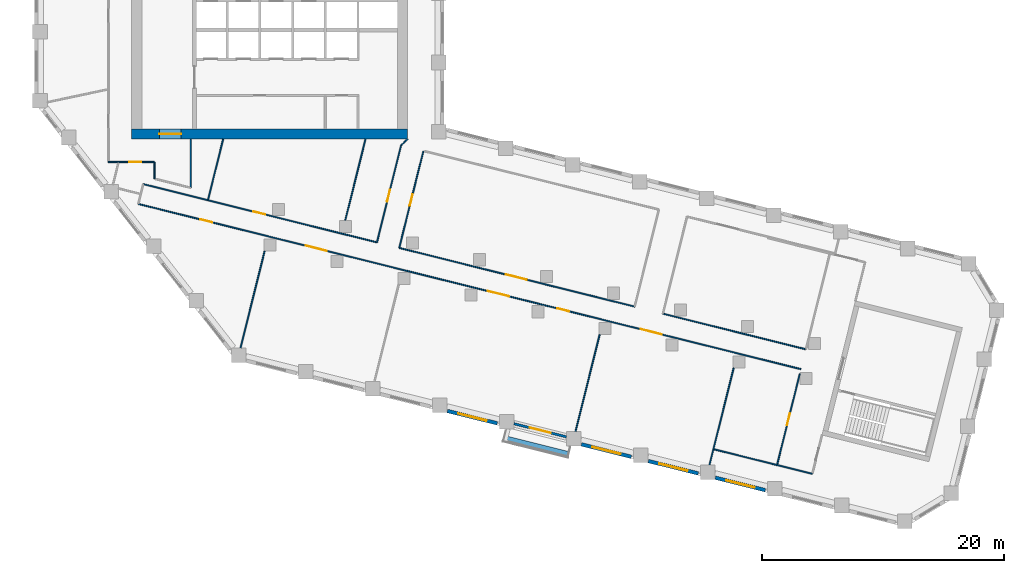
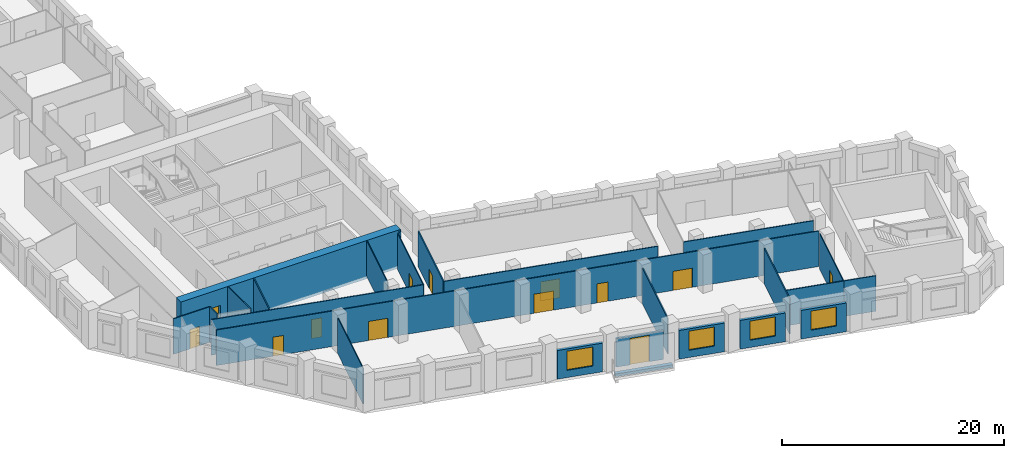
# One storey, part 3 of 10: 25 walls, 13 doors, 4 windows, 17 openings.
"""IFC4 building model written with IfcOpenShell, lengths in metres."""

from ifc_helpers import new_model, si_unit, direction, frame, frame_2d, origin, place, context, subcontext, project, spatial, rectangle, extrude, material, layer, layer_set, type_object, element, fill, save


model = new_model("IFC4")

# Units and contexts
model_context = context("Model", 3, precision=1e-05, world=origin(), true_north=direction((0.0, 1.0)))
body_context = subcontext(model_context, "Body", "Model", "MODEL_VIEW")
ifc_project = project(units=[si_unit("LENGTHUNIT", "METRE"), si_unit("AREAUNIT", "SQUARE_METRE"), si_unit("VOLUMEUNIT", "CUBIC_METRE"), si_unit("PLANEANGLEUNIT", "RADIAN"), si_unit("MASSUNIT", "GRAM", prefix="KILO")], contexts=[model_context])

# Site, building, storey
site_placement = place(None, origin())
site = spatial("IfcSite", under=ifc_project, at=site_placement, CompositionType="ELEMENT")
building_placement = place(site_placement, origin())
building = spatial("IfcBuilding", under=site, at=building_placement, Name="Meshkara Civic Tower", CompositionType="ELEMENT")
storey_placement = place(building_placement, frame((0.0, 0.0, 174.0)))
storey = spatial("IfcBuildingStorey", under=building, at=storey_placement, Name="L39", CompositionType="ELEMENT", Elevation=174.0)

# Wall, opening, door
ifc_material_1 = material(Name="Concrete C70", Category="concrete")
ifc_layer_1 = layer(ifc_material_1, 0.85009765625)
ifc_layer_set_1 = layer_set([ifc_layer_1], Name="Core ring wall 850 C70")
wall_type_1 = type_object("IfcWallType", Name="Core ring wall 850 C70", PredefinedType="SHEAR", material=ifc_layer_set_1)
wall_1_placement = place(storey_placement, frame((8.0, 14.52490234375, -0.300048828125), z_axis=(0.0, 0.0, 1.0), x_axis=(1.0, 0.0, 0.0)))
wall_1 = element("IfcWall", 1, at=wall_1_placement, inside=storey, type_object=wall_type_1, Name="L39-C001", PredefinedType="SHEAR", context=body_context, shape_type="SweptSolid", body=[
    extrude(rectangle(XDim=22.800048828125, YDim=0.85009765625, at=frame_2d((11.39990234375, 0.0))), origin(), (0.0, 0.0, 1.0), 4.199951171875),
])
opening_1_placement = place(wall_1_placement, frame((2.300048828125, 0.0, 0.300048828125)))
opening_1 = element("IfcOpeningElement", 2, at=opening_1_placement, cuts=wall_1, Name="Opening L39-K020", PredefinedType="OPENING", context=body_context, shape_type="SweptSolid", body=[
    extrude(rectangle(XDim=1.800048828125, YDim=2.10009765625, at=frame_2d((0.89990234375, 1.050048828125))), frame((0.0, 0.43505859375, 0.0), z_axis=(0.0, -1.0, 0.0), x_axis=(1.0, 0.0, 0.0)), (0.0, 0.0, 1.0), 0.8701171875),
])
ifc_material_2 = material(Name="Fire-rated door leaf in steel frame", Category="steel")
door_type_1 = type_object("IfcDoorType", Name="Core double door 1800 EI 60", OperationType="DOUBLE_DOOR_SINGLE_SWING", PredefinedType="DOOR", material=ifc_material_2)
door_1_placement = place(opening_1_placement, origin())
door_1 = element("IfcDoor", 3, at=door_1_placement, inside=storey, type_object=door_type_1, Name="L39-K020", OperationType="DOUBLE_DOOR_SINGLE_SWING", OverallHeight=2.10009765625, OverallWidth=1.800048828125, PredefinedType="DOOR", context=body_context, shape_type="SweptSolid", body=[
    extrude(rectangle(XDim=1.800048828125, YDim=2.10009765625, at=frame_2d((0.89990234375, 1.050048828125))), frame((0.0, 0.02490234375, 0.0), z_axis=(0.0, -1.0, 0.0), x_axis=(1.0, 0.0, 0.0)), (0.0, 0.0, 1.0), 0.050048828125),
])
fill(opening_1, door_1)

ifc_material_3 = material(Name="Corridor wall 100")
ifc_layer_2 = layer(ifc_material_3, 0.10009765625)
ifc_layer_set_2 = layer_set([ifc_layer_2], Name="Corridor wall 100")
wall_type_2 = type_object("IfcWallType", Name="Corridor wall 100", PredefinedType="PARTITIONING", material=ifc_layer_set_2)
wall_2_placement = place(storey_placement, frame((6.10009765625, 12.199951171875, 0.0), z_axis=(0.0, 0.0, 1.0), x_axis=(1.0, 0.0, 0.0)))
wall_2 = element("IfcWall", 4, at=wall_2_placement, inside=storey, type_object=wall_type_2, Name="L39-W005", PredefinedType="PARTITIONING", context=body_context, shape_type="SweptSolid", body=[
    extrude(rectangle(XDim=3.7998046875, YDim=0.10009765625, at=frame_2d((1.89990234375, 0.0))), origin(), (0.0, 0.0, 1.0), 3.89990234375),
])
opening_2_placement = place(wall_2_placement, frame((1.701904296875, 0.0, 0.0)))
opening_2 = element("IfcOpeningElement", 5, at=opening_2_placement, cuts=wall_2, Name="Opening L39-D015", PredefinedType="OPENING", context=body_context, shape_type="SweptSolid", body=[
    extrude(rectangle(XDim=1.0, YDim=2.10009765625, at=frame_2d((0.5, 1.050048828125))), frame((0.0, 0.06005859375, 0.0), z_axis=(0.0, -1.0, 0.0), x_axis=(1.0, 0.0, 0.0)), (0.0, 0.0, 1.0), 0.1201171875),
])
ifc_material_4 = material(Name="Door 1000 x 2100")
door_type_2 = type_object("IfcDoorType", Name="Door 1000 x 2100", OperationType="SINGLE_SWING_LEFT", PredefinedType="DOOR", material=ifc_material_4)
door_2_placement = place(opening_2_placement, origin())
door_2 = element("IfcDoor", 6, at=door_2_placement, inside=storey, type_object=door_type_2, Name="L39-D015", OperationType="SINGLE_SWING_RIGHT", OverallHeight=2.10009765625, OverallWidth=1.0, PredefinedType="DOOR", context=body_context, shape_type="SweptSolid", body=[
    extrude(rectangle(XDim=1.0, YDim=2.10009765625, at=frame_2d((0.5, 1.050048828125))), frame((0.0, 0.02490234375, 0.0), z_axis=(0.0, -1.0, 0.0), x_axis=(1.0, 0.0, 0.0)), (0.0, 0.0, 1.0), 0.050048828125),
])
fill(opening_2, door_2)

# Wall, openings, doors
wall_3_placement = place(storey_placement, frame((8.56494140625, 8.743896484375, 0.0), z_axis=(0.0, 0.0, 1.0), x_axis=(0.97029693432, -0.24191705035, 0.0)))
wall_3 = element("IfcWall", 7, at=wall_3_placement, inside=storey, type_object=wall_type_2, Name="L39-W006", PredefinedType="PARTITIONING", context=body_context, shape_type="SweptSolid", body=[
    extrude(rectangle(XDim=56.37451171875, YDim=0.10009765625, at=frame_2d((28.187255859375, 0.0))), origin(), (0.0, 0.0, 1.0), 3.89990234375),
])
opening_3_placement = place(wall_3_placement, frame((42.739013671875, 0.0, 0.0)))
opening_3 = element("IfcOpeningElement", 8, at=opening_3_placement, cuts=wall_3, Name="Opening L39-D003", PredefinedType="OPENING", context=body_context, shape_type="SweptSolid", body=[
    extrude(rectangle(XDim=1.800048828125, YDim=2.10009765625, at=frame_2d((0.89990234375, 1.050048828125))), frame((0.0, 0.06005859375, 0.0), z_axis=(0.0, -1.0, 0.0), x_axis=(1.0, 0.0, 0.0)), (0.0, 0.0, 1.0), 0.1201171875),
])
opening_4_placement = place(wall_3_placement, frame((14.239013671875, 0.0, 0.0)))
opening_4 = element("IfcOpeningElement", 9, at=opening_4_placement, cuts=wall_3, Name="Opening L39-D004", PredefinedType="OPENING", context=body_context, shape_type="SweptSolid", body=[
    extrude(rectangle(XDim=1.800048828125, YDim=2.10009765625, at=frame_2d((0.89990234375, 1.050048828125))), frame((0.0, 0.06005859375, 0.0), z_axis=(0.0, -1.0, 0.0), x_axis=(1.0, 0.0, 0.0)), (0.0, 0.0, 1.0), 0.1201171875),
])
opening_5_placement = place(wall_3_placement, frame((29.739990234375, 0.0, 0.0)))
opening_5 = element("IfcOpeningElement", 10, at=opening_5_placement, cuts=wall_3, Name="Opening L39-D005", PredefinedType="OPENING", context=body_context, shape_type="SweptSolid", body=[
    extrude(rectangle(XDim=1.800048828125, YDim=2.10009765625, at=frame_2d((0.89990234375, 1.050048828125))), frame((0.0, 0.06005859375, 0.0), z_axis=(0.0, -1.0, 0.0), x_axis=(1.0, 0.0, 0.0)), (0.0, 0.0, 1.0), 0.1201171875),
])
opening_6_placement = place(wall_3_placement, frame((35.639892578125, 0.0, 0.0)))
opening_6 = element("IfcOpeningElement", 11, at=opening_6_placement, cuts=wall_3, Name="Opening L39-D007", PredefinedType="OPENING", context=body_context, shape_type="SweptSolid", body=[
    extrude(rectangle(XDim=1.0, YDim=2.10009765625, at=frame_2d((0.5, 1.050048828125))), frame((0.0, 0.06005859375, 0.0), z_axis=(0.0, -1.0, 0.0), x_axis=(1.0, 0.0, 0.0)), (0.0, 0.0, 1.0), 0.1201171875),
])
opening_7_placement = place(wall_3_placement, frame((5.280029296875, 0.0, 0.0)))
opening_7 = element("IfcOpeningElement", 12, at=opening_7_placement, cuts=wall_3, Name="Opening L39-D009", PredefinedType="OPENING", context=body_context, shape_type="SweptSolid", body=[
    extrude(rectangle(XDim=1.0, YDim=2.10009765625, at=frame_2d((0.5, 1.050048828125))), frame((0.0, 0.06005859375, 0.0), z_axis=(0.0, -1.0, 0.0), x_axis=(1.0, 0.0, 0.0)), (0.0, 0.0, 1.0), 0.1201171875),
])
door_3_placement = place(opening_6_placement, origin())
door_3 = element("IfcDoor", 13, at=door_3_placement, inside=storey, type_object=door_type_2, Name="L39-D007", OperationType="SINGLE_SWING_LEFT", OverallHeight=2.10009765625, OverallWidth=1.0, PredefinedType="DOOR", context=body_context, shape_type="SweptSolid", body=[
    extrude(rectangle(XDim=1.0, YDim=2.10009765625, at=frame_2d((0.5, 1.050048828125))), frame((0.0, 0.02490234375, 0.0), z_axis=(0.0, -1.0, 0.0), x_axis=(1.0, 0.0, 0.0)), (0.0, 0.0, 1.0), 0.050048828125),
])
fill(opening_6, door_3)
door_4_placement = place(opening_7_placement, origin())
door_4 = element("IfcDoor", 14, at=door_4_placement, inside=storey, type_object=door_type_2, Name="L39-D009", OperationType="SINGLE_SWING_LEFT", OverallHeight=2.10009765625, OverallWidth=1.0, PredefinedType="DOOR", context=body_context, shape_type="SweptSolid", body=[
    extrude(rectangle(XDim=1.0, YDim=2.10009765625, at=frame_2d((0.5, 1.050048828125))), frame((0.0, 0.02490234375, 0.0), z_axis=(0.0, -1.0, 0.0), x_axis=(1.0, 0.0, 0.0)), (0.0, 0.0, 1.0), 0.050048828125),
])
fill(opening_7, door_4)
ifc_material_5 = material(Name="Door pair 1800 x 2100")
door_type_3 = type_object("IfcDoorType", Name="Door pair 1800 x 2100", OperationType="SINGLE_SWING_LEFT", PredefinedType="DOOR", material=ifc_material_5)
door_5_placement = place(opening_3_placement, origin())
door_5 = element("IfcDoor", 15, at=door_5_placement, inside=storey, type_object=door_type_3, Name="L39-D003", OperationType="DOUBLE_DOOR_SINGLE_SWING", OverallHeight=2.10009765625, OverallWidth=1.800048828125, PredefinedType="DOOR", context=body_context, shape_type="SweptSolid", body=[
    extrude(rectangle(XDim=1.800048828125, YDim=2.10009765625, at=frame_2d((0.89990234375, 1.050048828125))), frame((0.0, 0.02490234375, 0.0), z_axis=(0.0, -1.0, 0.0), x_axis=(1.0, 0.0, 0.0)), (0.0, 0.0, 1.0), 0.050048828125),
])
fill(opening_3, door_5)
door_6_placement = place(opening_4_placement, origin())
door_6 = element("IfcDoor", 16, at=door_6_placement, inside=storey, type_object=door_type_3, Name="L39-D004", OperationType="DOUBLE_DOOR_SINGLE_SWING", OverallHeight=2.10009765625, OverallWidth=1.800048828125, PredefinedType="DOOR", context=body_context, shape_type="SweptSolid", body=[
    extrude(rectangle(XDim=1.800048828125, YDim=2.10009765625, at=frame_2d((0.89990234375, 1.050048828125))), frame((0.0, 0.02490234375, 0.0), z_axis=(0.0, -1.0, 0.0), x_axis=(1.0, 0.0, 0.0)), (0.0, 0.0, 1.0), 0.050048828125),
])
fill(opening_4, door_6)
door_7_placement = place(opening_5_placement, origin())
door_7 = element("IfcDoor", 17, at=door_7_placement, inside=storey, type_object=door_type_3, Name="L39-D005", OperationType="DOUBLE_DOOR_SINGLE_SWING", OverallHeight=2.10009765625, OverallWidth=1.800048828125, PredefinedType="DOOR", context=body_context, shape_type="SweptSolid", body=[
    extrude(rectangle(XDim=1.800048828125, YDim=2.10009765625, at=frame_2d((0.89990234375, 1.050048828125))), frame((0.0, 0.02490234375, 0.0), z_axis=(0.0, -1.0, 0.0), x_axis=(1.0, 0.0, 0.0)), (0.0, 0.0, 1.0), 0.050048828125),
])
fill(opening_5, door_7)

# Wall, opening, door
wall_4_placement = place(storey_placement, frame((8.972900390625, 10.382080078125, 0.0), z_axis=(0.0, 0.0, 1.0), x_axis=(0.970286808807, -0.241957658808, 0.0)))
wall_4 = element("IfcWall", 18, at=wall_4_placement, inside=storey, type_object=wall_type_2, Name="L39-W007", PredefinedType="PARTITIONING", context=body_context, shape_type="SweptSolid", body=[
    extrude(rectangle(XDim=19.879638671875, YDim=0.10009765625, at=frame_2d((9.93994140625, 0.0))), origin(), (0.0, 0.0, 1.0), 3.89990234375),
])
opening_8_placement = place(wall_4_placement, frame((9.384033203125, 0.0, 0.0)))
opening_8 = element("IfcOpeningElement", 19, at=opening_8_placement, cuts=wall_4, Name="Opening L39-D010", PredefinedType="OPENING", context=body_context, shape_type="SweptSolid", body=[
    extrude(rectangle(XDim=1.0, YDim=2.10009765625, at=frame_2d((0.5, 1.050048828125))), frame((0.0, 0.06005859375, 0.0), z_axis=(0.0, -1.0, 0.0), x_axis=(1.0, 0.0, 0.0)), (0.0, 0.0, 1.0), 0.1201171875),
])
door_8_placement = place(opening_8_placement, origin())
door_8 = element("IfcDoor", 20, at=door_8_placement, inside=storey, type_object=door_type_2, Name="L39-D010", OperationType="SINGLE_SWING_LEFT", OverallHeight=2.10009765625, OverallWidth=1.0, PredefinedType="DOOR", context=body_context, shape_type="SweptSolid", body=[
    extrude(rectangle(XDim=1.0, YDim=2.10009765625, at=frame_2d((0.5, 1.050048828125))), frame((0.0, 0.02490234375, 0.0), z_axis=(0.0, -1.0, 0.0), x_axis=(1.0, 0.0, 0.0)), (0.0, 0.0, 1.0), 0.050048828125),
])
fill(opening_8, door_8)

# Walls
wall_5_placement = place(storey_placement, frame((9.89990234375, 12.199951171875, 0.0), z_axis=(0.0, 0.0, 1.0), x_axis=(0.0, -1.0, 0.0)))
element("IfcWall", 21, at=wall_5_placement, inside=storey, type_object=wall_type_2, Name="L39-W010", PredefinedType="PARTITIONING", context=body_context, shape_type="SweptSolid", body=[
    extrude(rectangle(XDim=1.3740234375, YDim=0.10009765625, at=frame_2d((0.68701171875, 0.0))), origin(), (0.0, 0.0, 1.0), 3.89990234375),
])
wall_6_placement = place(storey_placement, frame((12.89990234375, 10.077880859375, 0.0), z_axis=(0.0, 0.0, 1.0), x_axis=(0.0, 1.0, 0.0)))
element("IfcWall", 22, at=wall_6_placement, inside=storey, type_object=wall_type_2, Name="L39-W016", PredefinedType="PARTITIONING", context=body_context, shape_type="SweptSolid", body=[
    extrude(rectangle(XDim=4.022216796875, YDim=0.10009765625, at=frame_2d((2.01123046875, 0.0))), origin(), (0.0, 0.0, 1.0), 3.89990234375),
])

# Wall, opening, door
wall_7_placement = place(storey_placement, frame((30.10498046875, 5.113037109375, 0.0), z_axis=(0.0, 0.0, 1.0), x_axis=(0.241984285369, 0.970280168629, 0.0)))
wall_7 = element("IfcWall", 23, at=wall_7_placement, inside=storey, type_object=wall_type_2, Name="L39-W026", PredefinedType="PARTITIONING", context=body_context, shape_type="SweptSolid", body=[
    extrude(rectangle(XDim=8.231689453125, YDim=0.10009765625, at=frame_2d((4.11572265625, 0.0))), origin(), (0.0, 0.0, 1.0), 3.89990234375),
])
opening_9_placement = place(wall_7_placement, frame((3.580078125, 0.0, 0.0)))
opening_9 = element("IfcOpeningElement", 24, at=opening_9_placement, cuts=wall_7, Name="Opening L39-D012", PredefinedType="OPENING", context=body_context, shape_type="SweptSolid", body=[
    extrude(rectangle(XDim=1.0, YDim=2.10009765625, at=frame_2d((0.5, 1.050048828125))), frame((0.0, 0.06005859375, 0.0), z_axis=(0.0, -1.0, 0.0), x_axis=(1.0, 0.0, 0.0)), (0.0, 0.0, 1.0), 0.1201171875),
])
door_9_placement = place(opening_9_placement, origin())
door_9 = element("IfcDoor", 25, at=door_9_placement, inside=storey, type_object=door_type_2, Name="L39-D012", OperationType="SINGLE_SWING_RIGHT", OverallHeight=2.10009765625, OverallWidth=1.0, PredefinedType="DOOR", context=body_context, shape_type="SweptSolid", body=[
    extrude(rectangle(XDim=1.0, YDim=2.10009765625, at=frame_2d((0.5, 1.050048828125))), frame((0.0, 0.02490234375, 0.0), z_axis=(0.0, -1.0, 0.0), x_axis=(1.0, 0.0, 0.0)), (0.0, 0.0, 1.0), 0.050048828125),
])
fill(opening_9, door_9)

wall_8_placement = place(storey_placement, frame((30.259033203125, 13.5830078125, 0.0), z_axis=(0.0, 0.0, 1.0), x_axis=(-0.241888494143, -0.970304053584, 0.0)))
wall_8 = element("IfcWall", 26, at=wall_8_placement, inside=storey, type_object=wall_type_2, Name="L39-W027", PredefinedType="PARTITIONING", context=body_context, shape_type="SweptSolid", body=[
    extrude(rectangle(XDim=8.256103515625, YDim=0.10009765625, at=frame_2d((4.1279296875, 0.0))), origin(), (0.0, 0.0, 1.0), 3.89990234375),
])
opening_10_placement = place(wall_8_placement, frame((3.780029296875, 0.0, 0.0)))
opening_10 = element("IfcOpeningElement", 27, at=opening_10_placement, cuts=wall_8, Name="Opening L39-D011", PredefinedType="OPENING", context=body_context, shape_type="SweptSolid", body=[
    extrude(rectangle(XDim=1.0, YDim=2.10009765625, at=frame_2d((0.5, 1.050048828125))), frame((0.0, 0.06005859375, 0.0), z_axis=(0.0, -1.0, 0.0), x_axis=(1.0, 0.0, 0.0)), (0.0, 0.0, 1.0), 0.1201171875),
])
door_10_placement = place(opening_10_placement, origin())
door_10 = element("IfcDoor", 28, at=door_10_placement, inside=storey, type_object=door_type_2, Name="L39-D011", OperationType="SINGLE_SWING_LEFT", OverallHeight=2.10009765625, OverallWidth=1.0, PredefinedType="DOOR", context=body_context, shape_type="SweptSolid", body=[
    extrude(rectangle(XDim=1.0, YDim=2.10009765625, at=frame_2d((0.5, 1.050048828125))), frame((0.0, 0.02490234375, 0.0), z_axis=(0.0, -1.0, 0.0), x_axis=(1.0, 0.0, 0.0)), (0.0, 0.0, 1.0), 0.050048828125),
])
fill(opening_10, door_10)

# Wall
wall_9_placement = place(storey_placement, frame((30.800048828125, 14.10009765625, 0.0), z_axis=(0.0, 0.0, 1.0), x_axis=(-0.722911025189, -0.690941133281, 0.0)))
element("IfcWall", 29, at=wall_9_placement, inside=storey, type_object=wall_type_2, Name="L39-W028", PredefinedType="PARTITIONING", context=body_context, shape_type="SweptSolid", body=[
    extrude(rectangle(XDim=0.748291015625, YDim=0.10009765625, at=frame_2d((0.3740234375, 0.0))), origin(), (0.0, 0.0, 1.0), 3.89990234375),
])

# Wall, opening, door
wall_10_placement = place(storey_placement, frame((49.535888671875, 0.26806640625, 0.0), z_axis=(0.0, 0.0, 1.0), x_axis=(-0.970292195994, 0.241936054348, 0.0)))
wall_10 = element("IfcWall", 30, at=wall_10_placement, inside=storey, type_object=wall_type_2, Name="L39-W030", PredefinedType="PARTITIONING", context=body_context, shape_type="SweptSolid", body=[
    extrude(rectangle(XDim=20.02587890625, YDim=0.10009765625, at=frame_2d((10.012939453125, 0.0))), origin(), (0.0, 0.0, 1.0), 3.89990234375),
])
opening_11_placement = place(wall_10_placement, frame((9.179931640625, 0.0, 0.0)))
opening_11 = element("IfcOpeningElement", 31, at=opening_11_placement, cuts=wall_10, Name="Opening L39-D006", PredefinedType="OPENING", context=body_context, shape_type="SweptSolid", body=[
    extrude(rectangle(XDim=1.800048828125, YDim=2.10009765625, at=frame_2d((0.89990234375, 1.050048828125))), frame((0.0, 0.06005859375, 0.0), z_axis=(0.0, -1.0, 0.0), x_axis=(1.0, 0.0, 0.0)), (0.0, 0.0, 1.0), 0.1201171875),
])
door_11_placement = place(opening_11_placement, origin())
door_11 = element("IfcDoor", 32, at=door_11_placement, inside=storey, type_object=door_type_3, Name="L39-D006", OperationType="DOUBLE_DOOR_SINGLE_SWING", OverallHeight=2.10009765625, OverallWidth=1.800048828125, PredefinedType="DOOR", context=body_context, shape_type="SweptSolid", body=[
    extrude(rectangle(XDim=1.800048828125, YDim=2.10009765625, at=frame_2d((0.89990234375, 1.050048828125))), frame((0.0, 0.02490234375, 0.0), z_axis=(0.0, -1.0, 0.0), x_axis=(1.0, 0.0, 0.0)), (0.0, 0.0, 1.0), 0.050048828125),
])
fill(opening_11, door_11)

# Wall
wall_11_placement = place(storey_placement, frame((61.2919921875, -12.80810546875, 0.0), z_axis=(0.0, 0.0, 1.0), x_axis=(0.970290716908, -0.241941986192, 0.0)))
element("IfcWall", 33, at=wall_11_placement, inside=storey, type_object=wall_type_2, Name="L39-W034", PredefinedType="PARTITIONING", context=body_context, shape_type="SweptSolid", body=[
    extrude(rectangle(XDim=3.0, YDim=0.10009765625, at=frame_2d((1.5, 0.0))), origin(), (0.0, 0.0, 1.0), 3.89990234375),
])

# Wall, opening, door
wall_12_placement = place(storey_placement, frame((63.1689453125, -5.279052734375, 0.0), z_axis=(0.0, 0.0, 1.0), x_axis=(-0.241891494948, -0.970303305504, 0.0)))
wall_12 = element("IfcWall", 34, at=wall_12_placement, inside=storey, type_object=wall_type_2, Name="L39-W035", PredefinedType="PARTITIONING", context=body_context, shape_type="SweptSolid", body=[
    extrude(rectangle(XDim=7.759521484375, YDim=0.10009765625, at=frame_2d((3.8798828125, 0.0))), origin(), (0.0, 0.0, 1.0), 3.89990234375),
])
opening_12_placement = place(wall_12_placement, frame((3.3798828125, 0.0, 0.0)))
opening_12 = element("IfcOpeningElement", 35, at=opening_12_placement, cuts=wall_12, Name="Opening L39-D001", PredefinedType="OPENING", context=body_context, shape_type="SweptSolid", body=[
    extrude(rectangle(XDim=1.0, YDim=2.10009765625, at=frame_2d((0.5, 1.050048828125))), frame((0.0, 0.06005859375, 0.0), z_axis=(0.0, -1.0, 0.0), x_axis=(1.0, 0.0, 0.0)), (0.0, 0.0, 1.0), 0.1201171875),
])
door_12_placement = place(opening_12_placement, origin())
door_12 = element("IfcDoor", 36, at=door_12_placement, inside=storey, type_object=door_type_2, Name="L39-D001", OperationType="SINGLE_SWING_LEFT", OverallHeight=2.10009765625, OverallWidth=1.0, PredefinedType="DOOR", context=body_context, shape_type="SweptSolid", body=[
    extrude(rectangle(XDim=1.0, YDim=2.10009765625, at=frame_2d((0.5, 1.050048828125))), frame((0.0, 0.02490234375, 0.0), z_axis=(0.0, -1.0, 0.0), x_axis=(1.0, 0.0, 0.0)), (0.0, 0.0, 1.0), 0.050048828125),
])
fill(opening_12, door_12)

# Wall
wall_13_placement = place(storey_placement, frame((63.674072265625, -3.257080078125, 0.0), z_axis=(0.0, 0.0, 1.0), x_axis=(-0.970300413684, 0.241903094658, 0.0)))
element("IfcWall", 37, at=wall_13_placement, inside=storey, type_object=wall_type_2, Name="L39-W036", PredefinedType="PARTITIONING", context=body_context, shape_type="SweptSolid", body=[
    extrude(rectangle(XDim=12.170654296875, YDim=0.10009765625, at=frame_2d((6.08544921875, 0.0))), origin(), (0.0, 0.0, 1.0), 3.89990234375),
])

# Wall, opening, window
ifc_material_6 = material(Name="Insulated infill panel with bronze anodised aluminium cladding", Category="aluminium")
ifc_layer_3 = layer(ifc_material_6, 0.300048828125)
ifc_layer_set_3 = layer_set([ifc_layer_3], Name="EXTERNAL INFILL WALL 300")
wall_type_3 = type_object("IfcWallType", Name="EXTERNAL INFILL WALL 300", PredefinedType="SOLIDWALL", material=ifc_layer_set_3)
wall_14_placement = place(storey_placement, frame((34.075927734375, -8.342041015625, 0.0), z_axis=(0.0, 0.0, 1.0), x_axis=(0.970318118028, -0.241832069473, 0.0)))
wall_14 = element("IfcWall", 38, at=wall_14_placement, inside=storey, type_object=wall_type_3, Name="External wall", PredefinedType="SOLIDWALL", context=body_context, shape_type="SweptSolid", body=[
    extrude(rectangle(XDim=4.24609375, YDim=0.300048828125, at=frame_2d((2.123046875, 0.0))), origin(), (0.0, 0.0, 1.0), 3.14990234375),
])
opening_13_placement = place(wall_14_placement, frame((0.923095703125, 0.0, 0.800048828125)))
opening_13 = element("IfcOpeningElement", 39, at=opening_13_placement, cuts=wall_14, Name="Opening W7", PredefinedType="OPENING", context=body_context, shape_type="SweptSolid", body=[
    extrude(rectangle(XDim=2.39990234375, YDim=2.10009765625, at=frame_2d((1.199951171875, 1.050048828125))), frame((0.0, 0.159912109375, 0.0), z_axis=(0.0, -1.0, 0.0), x_axis=(1.0, 0.0, 0.0)), (0.0, 0.0, 1.0), 0.320068359375),
])
ifc_material_7 = material(Name="Tinted double glazing", Category="glass")
window_type = type_object("IfcWindowType", Name="WINDOW 2400x2100", PartitioningType="DOUBLE_PANEL_VERTICAL", PredefinedType="WINDOW", material=ifc_material_7)
window_1_placement = place(opening_13_placement, origin())
window_1 = element("IfcWindow", 40, at=window_1_placement, inside=storey, type_object=window_type, Name="Window", OverallHeight=2.10009765625, OverallWidth=2.39990234375, PartitioningType="DOUBLE_PANEL_VERTICAL", PredefinedType="WINDOW", context=body_context, shape_type="SweptSolid", body=[
    extrude(rectangle(XDim=2.39990234375, YDim=2.10009765625, at=frame_2d((1.199951171875, 1.050048828125))), frame((0.0, 0.030029296875, 0.0), z_axis=(0.0, -1.0, 0.0), x_axis=(1.0, 0.0, 0.0)), (0.0, 0.0, 1.0), 0.06005859375),
])
fill(opening_13, window_1)

wall_15_placement = place(storey_placement, frame((45.137939453125, -11.09912109375, 0.0), z_axis=(0.0, 0.0, 1.0), x_axis=(0.970304663212, -0.241886048688, 0.0)))
wall_15 = element("IfcWall", 41, at=wall_15_placement, inside=storey, type_object=wall_type_3, Name="External wall", PredefinedType="SOLIDWALL", context=body_context, shape_type="SweptSolid", body=[
    extrude(rectangle(XDim=4.2451171875, YDim=0.300048828125, at=frame_2d((2.12255859375, 0.0))), origin(), (0.0, 0.0, 1.0), 3.14990234375),
])
opening_14_placement = place(wall_15_placement, frame((0.922119140625, 0.0, 0.800048828125)))
opening_14 = element("IfcOpeningElement", 42, at=opening_14_placement, cuts=wall_15, Name="Opening W7", PredefinedType="OPENING", context=body_context, shape_type="SweptSolid", body=[
    extrude(rectangle(XDim=2.39990234375, YDim=2.10009765625, at=frame_2d((1.199951171875, 1.050048828125))), frame((0.0, 0.159912109375, 0.0), z_axis=(0.0, -1.0, 0.0), x_axis=(1.0, 0.0, 0.0)), (0.0, 0.0, 1.0), 0.320068359375),
])
window_2_placement = place(opening_14_placement, origin())
window_2 = element("IfcWindow", 43, at=window_2_placement, inside=storey, type_object=window_type, Name="Window", OverallHeight=2.10009765625, OverallWidth=2.39990234375, PartitioningType="DOUBLE_PANEL_VERTICAL", PredefinedType="WINDOW", context=body_context, shape_type="SweptSolid", body=[
    extrude(rectangle(XDim=2.39990234375, YDim=2.10009765625, at=frame_2d((1.199951171875, 1.050048828125))), frame((0.0, 0.030029296875, 0.0), z_axis=(0.0, -1.0, 0.0), x_axis=(1.0, 0.0, 0.0)), (0.0, 0.0, 1.0), 0.06005859375),
])
fill(opening_14, window_2)

wall_16_placement = place(storey_placement, frame((50.66796875, -12.47802734375, 0.0), z_axis=(0.0, 0.0, 1.0), x_axis=(0.970318118028, -0.241832069473, 0.0)))
wall_16 = element("IfcWall", 44, at=wall_16_placement, inside=storey, type_object=wall_type_3, Name="External wall", PredefinedType="SOLIDWALL", context=body_context, shape_type="SweptSolid", body=[
    extrude(rectangle(XDim=4.24609375, YDim=0.300048828125, at=frame_2d((2.123046875, 0.0))), origin(), (0.0, 0.0, 1.0), 3.14990234375),
])
opening_15_placement = place(wall_16_placement, frame((0.923095703125, 0.0, 0.800048828125)))
opening_15 = element("IfcOpeningElement", 45, at=opening_15_placement, cuts=wall_16, Name="Opening W7", PredefinedType="OPENING", context=body_context, shape_type="SweptSolid", body=[
    extrude(rectangle(XDim=2.39990234375, YDim=2.10009765625, at=frame_2d((1.199951171875, 1.050048828125))), frame((0.0, 0.159912109375, 0.0), z_axis=(0.0, -1.0, 0.0), x_axis=(1.0, 0.0, 0.0)), (0.0, 0.0, 1.0), 0.320068359375),
])
window_3_placement = place(opening_15_placement, origin())
window_3 = element("IfcWindow", 46, at=window_3_placement, inside=storey, type_object=window_type, Name="Window", OverallHeight=2.10009765625, OverallWidth=2.39990234375, PartitioningType="DOUBLE_PANEL_VERTICAL", PredefinedType="WINDOW", context=body_context, shape_type="SweptSolid", body=[
    extrude(rectangle(XDim=2.39990234375, YDim=2.10009765625, at=frame_2d((1.199951171875, 1.050048828125))), frame((0.0, 0.030029296875, 0.0), z_axis=(0.0, -1.0, 0.0), x_axis=(1.0, 0.0, 0.0)), (0.0, 0.0, 1.0), 0.06005859375),
])
fill(opening_15, window_3)

wall_17_placement = place(storey_placement, frame((56.198974609375, -13.85693359375, 0.0), z_axis=(0.0, 0.0, 1.0), x_axis=(0.97030462482, -0.241886202691, 0.0)))
wall_17 = element("IfcWall", 47, at=wall_17_placement, inside=storey, type_object=wall_type_3, Name="External wall", PredefinedType="SOLIDWALL", context=body_context, shape_type="SweptSolid", body=[
    extrude(rectangle(XDim=4.24609375, YDim=0.300048828125, at=frame_2d((2.123046875, 0.0))), origin(), (0.0, 0.0, 1.0), 3.14990234375),
])
opening_16_placement = place(wall_17_placement, frame((0.923095703125, 0.0, 0.800048828125)))
opening_16 = element("IfcOpeningElement", 48, at=opening_16_placement, cuts=wall_17, Name="Opening W7", PredefinedType="OPENING", context=body_context, shape_type="SweptSolid", body=[
    extrude(rectangle(XDim=2.39990234375, YDim=2.10009765625, at=frame_2d((1.199951171875, 1.050048828125))), frame((0.0, 0.159912109375, 0.0), z_axis=(0.0, -1.0, 0.0), x_axis=(1.0, 0.0, 0.0)), (0.0, 0.0, 1.0), 0.320068359375),
])
window_4_placement = place(opening_16_placement, origin())
window_4 = element("IfcWindow", 49, at=window_4_placement, inside=storey, type_object=window_type, Name="Window", OverallHeight=2.10009765625, OverallWidth=2.39990234375, PartitioningType="DOUBLE_PANEL_VERTICAL", PredefinedType="WINDOW", context=body_context, shape_type="SweptSolid", body=[
    extrude(rectangle(XDim=2.39990234375, YDim=2.10009765625, at=frame_2d((1.199951171875, 1.050048828125))), frame((0.0, 0.030029296875, 0.0), z_axis=(0.0, -1.0, 0.0), x_axis=(1.0, 0.0, 0.0)), (0.0, 0.0, 1.0), 0.06005859375),
])
fill(opening_16, window_4)

# Wall, opening, door
ifc_material_8 = material(Name="Insulated infill panel with bronze anodised aluminium cladding", Category="aluminium")
ifc_layer_4 = layer(ifc_material_8, 0.199951171875)
ifc_layer_set_4 = layer_set([ifc_layer_4], Name="LOGGIA BACK WALL 200")
wall_type_4 = type_object("IfcWallType", Name="LOGGIA BACK WALL 200", PredefinedType="SOLIDWALL", material=ifc_layer_set_4)
wall_18_placement = place(storey_placement, frame((39.573974609375, -9.403076171875, 0.0), z_axis=(0.0, 0.0, 1.0), x_axis=(0.970296737599, -0.241917839369, 0.0)))
wall_18 = element("IfcWall", 50, at=wall_18_placement, inside=storey, type_object=wall_type_4, Name="Loggia wall", PredefinedType="SOLIDWALL", context=body_context, shape_type="SweptSolid", body=[
    extrude(rectangle(XDim=4.463623046875, YDim=0.199951171875, at=frame_2d((2.23193359375, 0.0))), origin(), (0.0, 0.0, 1.0), 3.14990234375),
])
opening_17_placement = place(wall_18_placement, frame((1.3310546875, 0.0, 0.0)))
opening_17 = element("IfcOpeningElement", 51, at=opening_17_placement, cuts=wall_18, Name="Opening L39-L002", PredefinedType="OPENING", context=body_context, shape_type="SweptSolid", body=[
    extrude(rectangle(XDim=1.800048828125, YDim=2.89990234375, at=frame_2d((0.89990234375, 1.449951171875))), frame((0.0, 0.10986328125, 0.0), z_axis=(0.0, -1.0, 0.0), x_axis=(1.0, 0.0, 0.0)), (0.0, 0.0, 1.0), 0.219970703125),
])
ifc_material_9 = material(Name="Tinted double glazing", Category="glass")
door_type_4 = type_object("IfcDoorType", Name="LOGGIA DOOR 1800x2900", OperationType="DOUBLE_DOOR_SINGLE_SWING", PredefinedType="DOOR", material=ifc_material_9)
door_13_placement = place(opening_17_placement, origin())
door_13 = element("IfcDoor", 52, at=door_13_placement, inside=storey, type_object=door_type_4, Name="L39-L002", OperationType="DOUBLE_DOOR_SINGLE_SWING", OverallHeight=2.89990234375, OverallWidth=1.800048828125, PredefinedType="DOOR", context=body_context, shape_type="SweptSolid", body=[
    extrude(rectangle(XDim=1.800048828125, YDim=2.89990234375, at=frame_2d((0.89990234375, 1.449951171875))), frame((0.0, 0.02490234375, 0.0), z_axis=(0.0, -1.0, 0.0), x_axis=(1.0, 0.0, 0.0)), (0.0, 0.0, 1.0), 0.050048828125),
])
fill(opening_17, door_13)

# Walls
ifc_material_10 = material(Name="Concrete C40", Category="concrete")
ifc_layer_5 = layer(ifc_material_10, 0.39990234375)
ifc_layer_set_5 = layer_set([ifc_layer_5], Name="PLANTER TRAY")
wall_type_5 = type_object("IfcWallType", Name="PLANTER TRAY", PredefinedType="SOLIDWALL", material=ifc_layer_set_5)
wall_19_placement = place(storey_placement, frame((38.81689453125, -10.5849609375, 0.0), z_axis=(0.0, 0.0, 1.0), x_axis=(0.970281652924, -0.241978333739, 0.0)))
element("IfcWall", 53, at=wall_19_placement, inside=storey, type_object=wall_type_5, Name="Planter", PredefinedType="SOLIDWALL", context=body_context, shape_type="SweptSolid", body=[
    extrude(rectangle(XDim=5.360595703125, YDim=0.39990234375, at=frame_2d((2.68017578125, 0.0))), origin(), (0.0, 0.0, 1.0), 0.300048828125),
])
ifc_material_11 = material(Name="Partition 100")
ifc_layer_6 = layer(ifc_material_11, 0.10009765625)
ifc_layer_set_6 = layer_set([ifc_layer_6], Name="Partition 100")
wall_type_6 = type_object("IfcWallType", Name="Partition 100", PredefinedType="PARTITIONING", material=ifc_layer_set_6)
wall_20_placement = place(storey_placement, frame((14.324951171875, 9.09912109375, 0.0), z_axis=(0.0, 0.0, 1.0), x_axis=(0.241956019685, 0.970287217548, 0.0)))
element("IfcWall", 54, at=wall_20_placement, inside=storey, type_object=wall_type_6, Name="L39-W050", PredefinedType="PARTITIONING", context=body_context, shape_type="SweptSolid", body=[
    extrude(rectangle(XDim=5.154052734375, YDim=0.10009765625, at=frame_2d((2.5771484375, 0.0))), origin(), (0.0, 0.0, 1.0), 3.89990234375),
])
wall_21_placement = place(storey_placement, frame((17.0009765625, -3.137939453125, 0.0), z_axis=(0.0, 0.0, 1.0), x_axis=(0.241922303467, 0.970295624583, 0.0)))
element("IfcWall", 55, at=wall_21_placement, inside=storey, type_object=wall_type_6, Name="L39-W051", PredefinedType="PARTITIONING", context=body_context, shape_type="SweptSolid", body=[
    extrude(rectangle(XDim=8.242919921875, YDim=0.10009765625, at=frame_2d((4.12158203125, 0.0))), origin(), (0.0, 0.0, 1.0), 3.89990234375),
])
wall_22_placement = place(storey_placement, frame((25.64892578125, 7.39208984375, 0.0), z_axis=(0.0, 0.0, 1.0), x_axis=(0.241870819599, 0.970308459525, 0.0)))
element("IfcWall", 56, at=wall_22_placement, inside=storey, type_object=wall_type_6, Name="L39-W053", PredefinedType="PARTITIONING", context=body_context, shape_type="SweptSolid", body=[
    extrude(rectangle(XDim=6.913330078125, YDim=0.10009765625, at=frame_2d((3.45654296875, 0.0))), origin(), (0.0, 0.0, 1.0), 3.89990234375),
])
wall_23_placement = place(storey_placement, frame((44.655029296875, -10.031982421875, 0.0), z_axis=(0.0, 0.0, 1.0), x_axis=(0.241922228554, 0.970295643261, 0.0)))
element("IfcWall", 57, at=wall_23_placement, inside=storey, type_object=wall_type_6, Name="L39-W055", PredefinedType="PARTITIONING", context=body_context, shape_type="SweptSolid", body=[
    extrude(rectangle(XDim=8.241943359375, YDim=0.10009765625, at=frame_2d((4.12109375, 0.0))), origin(), (0.0, 0.0, 1.0), 3.89990234375),
])
wall_24_placement = place(storey_placement, frame((55.716064453125, -12.7900390625, 0.0), z_axis=(0.0, 0.0, 1.0), x_axis=(0.241894418317, 0.970302576719, 0.0)))
element("IfcWall", 58, at=wall_24_placement, inside=storey, type_object=wall_type_6, Name="L39-W056", PredefinedType="PARTITIONING", context=body_context, shape_type="SweptSolid", body=[
    extrude(rectangle(XDim=8.242919921875, YDim=0.10009765625, at=frame_2d((4.12158203125, 0.0))), origin(), (0.0, 0.0, 1.0), 3.89990234375),
])
wall_25_placement = place(storey_placement, frame((56.0869140625, -11.510009765625, 0.0), z_axis=(0.0, 0.0, 1.0), x_axis=(0.970281444431, -0.241979169751, 0.0)))
element("IfcWall", 59, at=wall_25_placement, inside=storey, type_object=wall_type_6, Name="L39-W057", PredefinedType="PARTITIONING", context=body_context, shape_type="SweptSolid", body=[
    extrude(rectangle(XDim=5.368408203125, YDim=0.10009765625, at=frame_2d((2.68408203125, 0.0))), origin(), (0.0, 0.0, 1.0), 3.89990234375),
])

save(model, "model.ifc")
